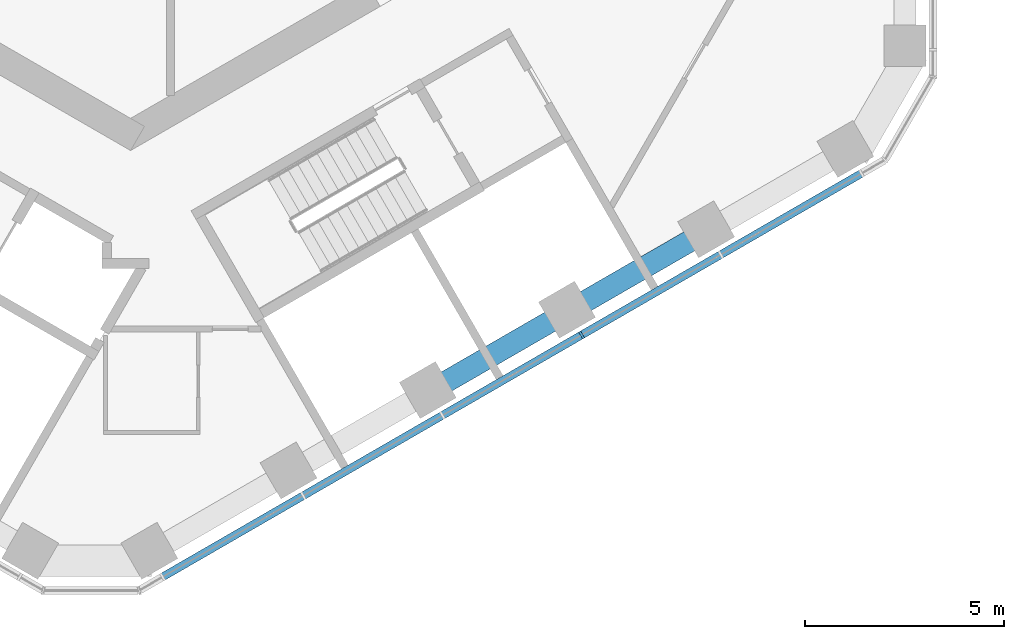
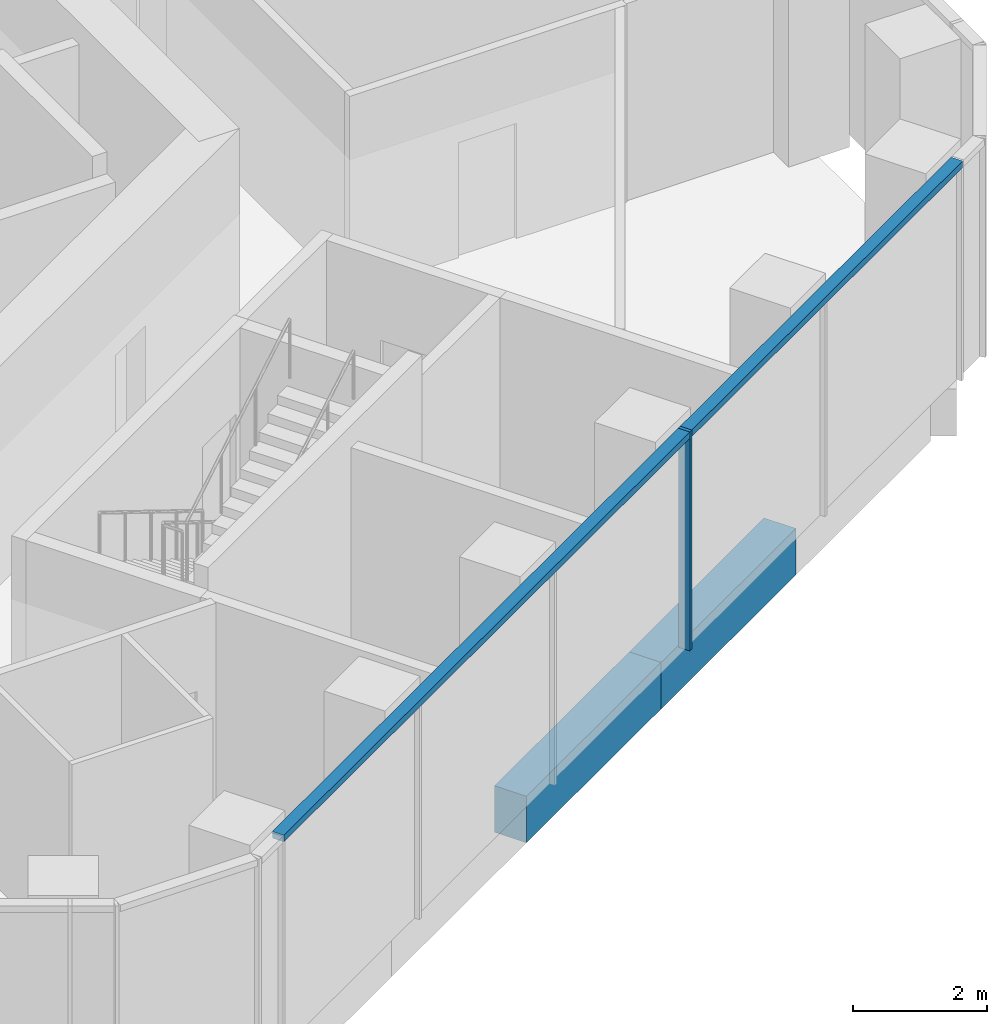
# One storey, part 3 of 25: 2 beams, 2 members, 1 element without a shape of its own.
"""IFC4 building model written with IfcOpenShell, lengths in metres."""

from ifc_helpers import new_model, si_unit, direction, frame, origin, origin_2d, place, context, subcontext, project, spatial, rectangle, extrude, material, layer, layer_set, material_profile, profile_set, type_object, element, aggregate, save


model = new_model("IFC4")

# Units and contexts
model_context = context("Model", 3, precision=1e-05, world=origin(), true_north=direction((0.0, 1.0)))
body_context = subcontext(model_context, "Body", "Model", "MODEL_VIEW")
ifc_project = project(units=[si_unit("LENGTHUNIT", "METRE"), si_unit("AREAUNIT", "SQUARE_METRE"), si_unit("VOLUMEUNIT", "CUBIC_METRE"), si_unit("PLANEANGLEUNIT", "RADIAN"), si_unit("MASSUNIT", "GRAM", prefix="KILO")], contexts=[model_context])

# Site, building, storey
site_placement = place(None, origin())
site = spatial("IfcSite", under=ifc_project, at=site_placement, CompositionType="ELEMENT")
building_placement = place(site_placement, origin())
building = spatial("IfcBuilding", under=site, at=building_placement, Name="Ayvan Gate Tower", CompositionType="ELEMENT")
storey_placement = place(building_placement, frame((0.0, 0.0, 139.89990234375)))
storey = spatial("IfcBuildingStorey", under=building, at=storey_placement, Name="L37", CompositionType="ELEMENT", Elevation=139.89990234375)

# Beams
ifc_material_1 = material(Name="Concrete C40/50", Category="concrete")
ifc_material_profile_1 = material_profile(ifc_material_1, rectangle(XDim=0.550048828125, YDim=0.85009765625, at=origin_2d()), Name="RC 550x850")
ifc_profile_set_1 = profile_set([ifc_material_profile_1], Name="Concrete C40/50")
beam_type = type_object("IfcBeamType", Name="Spandrel beam RC 550x850 C40/50", PredefinedType="BEAM", material=ifc_profile_set_1)
beam_1_placement = place(storey_placement, frame((7.508056640625, -17.037109375, -0.824951171875), z_axis=(0.86602528846, 0.500000199748, 0.0), x_axis=(-0.500000199748, 0.86602528846, 0.0)))
element("IfcBeam", 1, at=beam_1_placement, inside=storey, type_object=beam_type, Name="SB-L37-33", PredefinedType="BEAM", context=body_context, shape_type="SweptSolid", body=[
    extrude(rectangle(XDim=0.550048828125, YDim=0.85009765625, at=origin_2d()), origin(), (0.0, 0.0, 1.0), 4.03271484375),
])
beam_2_placement = place(storey_placement, frame((11.00048828125, -15.020751953125, -0.824951171875), z_axis=(0.866014209572, 0.500019388443, 0.0), x_axis=(-0.500019388443, 0.866014209572, 0.0)))
element("IfcBeam", 2, at=beam_2_placement, inside=storey, type_object=beam_type, Name="SB-L37-34", PredefinedType="BEAM", context=body_context, shape_type="SweptSolid", body=[
    extrude(rectangle(XDim=0.550048828125, YDim=0.85009765625, at=origin_2d()), origin(), (0.0, 0.0, 1.0), 4.032958984375),
])

# Curtain wall, members
ifc_material_2 = material(Name="Bronze anodised aluminium", Category="aluminium")
ifc_layer = layer(ifc_material_2, 0.199951171875)
ifc_layer_set = layer_set([ifc_layer], Name="Bronze anodised aluminium")
curtain_wall_type = type_object("IfcCurtainWallType", Name="Stick curtain wall CW-1", PredefinedType="NOTDEFINED", material=ifc_layer_set)
curtain_wall_placement = place(storey_placement, origin())
curtain_wall = element("IfcCurtainWall", 3, at=curtain_wall_placement, inside=storey, type_object=curtain_wall_type, Name="Stick curtain wall CW-1 L37", PredefinedType="NOTDEFINED")
ifc_material_profile_2 = material_profile(ifc_material_2, rectangle(XDim=0.199951171875, YDim=0.06005859375, at=origin_2d()), Name="Stick curtain wall CW-1 mullion 200 x 60")
ifc_profile_set_2 = profile_set([ifc_material_profile_2], Name="Bronze anodised aluminium")
member_type_1 = type_object("IfcMemberType", Name="Stick curtain wall CW-1 mullion 200 x 60", PredefinedType="MULLION", material=ifc_profile_set_2)
member_1_placement = place(storey_placement, frame((11.3486328125, -15.611328125, 0.0), z_axis=(0.0, 0.0, 1.0), x_axis=(0.5, -0.866025403784, 0.0)))
member_1 = element("IfcMember", 4, at=member_1_placement, type_object=member_type_1, Name="CW-1 mullion 4", PredefinedType="MULLION", context=body_context, shape_type="SweptSolid", body=[
    extrude(rectangle(XDim=0.199951171875, YDim=0.06005859375, at=origin_2d()), origin(), (0.0, 0.0, 1.0), 4.0),
])
ifc_material_profile_3 = material_profile(ifc_material_2, rectangle(XDim=0.199951171875, YDim=0.1201171875, at=origin_2d()), Name="Stick curtain wall CW-1 transom 200 x 120")
ifc_profile_set_3 = profile_set([ifc_material_profile_3], Name="Bronze anodised aluminium")
member_type_2 = type_object("IfcMemberType", Name="Stick curtain wall CW-1 transom 200 x 120", PredefinedType="USERDEFINED", material=ifc_profile_set_3)
member_2_placement = place(storey_placement, frame((0.8046875, -21.698974609375, 3.940185546875), z_axis=(0.86602440332, 0.500001732851, 0.0), x_axis=(-0.500001732851, 0.86602440332, 0.0)))
member_2 = element("IfcMember", 5, at=member_2_placement, type_object=member_type_2, Name="CW-1 transom 1", ObjectType="TRANSOM", PredefinedType="USERDEFINED", context=body_context, shape_type="SweptSolid", body=[
    extrude(rectangle(XDim=0.199951171875, YDim=0.1201171875, at=origin_2d()), origin(), (0.0, 0.0, 1.0), 20.30517578125),
])
aggregate(curtain_wall, [member_1, member_2])

save(model, "model.ifc")
